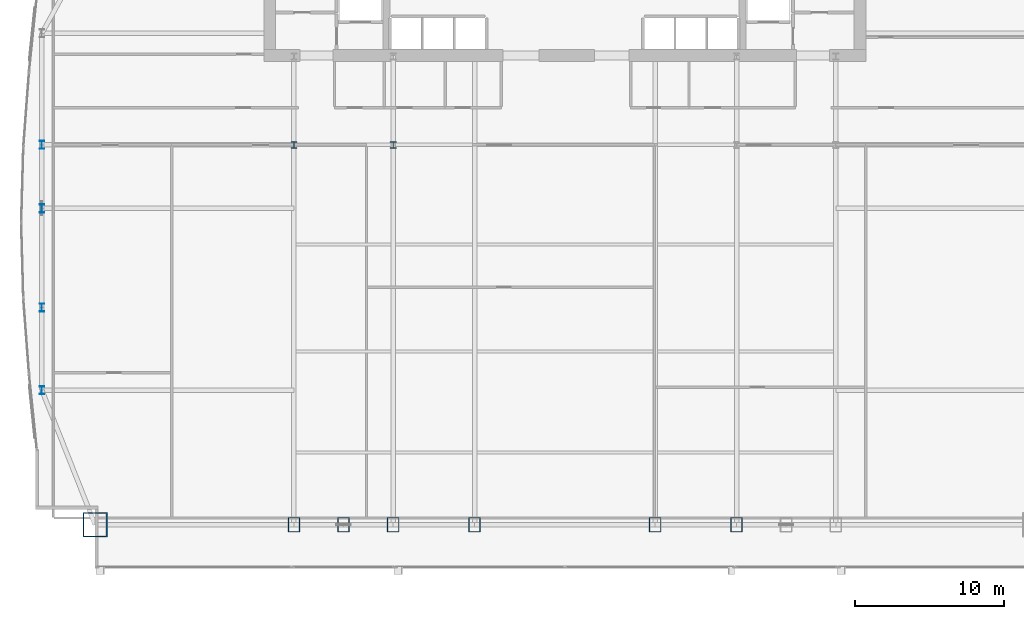
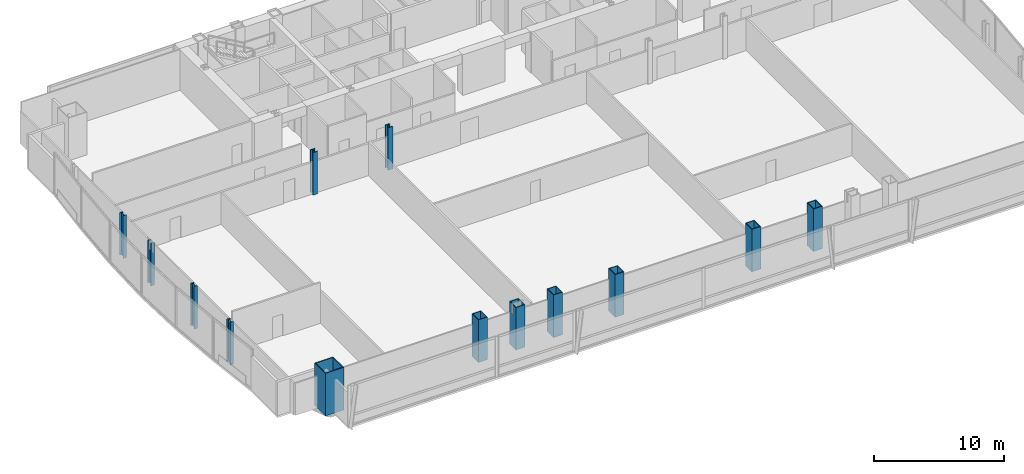
# One storey, part 1 of 33: 13 columns.
"""IFC4 building model written with IfcOpenShell, lengths in metres."""

from ifc_helpers import new_model, si_unit, direction, frame, origin, origin_2d, place, context, subcontext, project, spatial, hollow_rectangle, i_section, extrude, material, material_profile, profile_set, type_object, element, save


model = new_model("IFC4")

# Units and contexts
model_context = context("Model", 3, precision=1e-05, world=origin(), true_north=direction((0.0, 1.0)))
body_context = subcontext(model_context, "Body", "Model", "MODEL_VIEW")
ifc_project = project(units=[si_unit("LENGTHUNIT", "METRE"), si_unit("AREAUNIT", "SQUARE_METRE"), si_unit("VOLUMEUNIT", "CUBIC_METRE"), si_unit("PLANEANGLEUNIT", "RADIAN"), si_unit("MASSUNIT", "GRAM", prefix="KILO")], contexts=[model_context])

# Site, building, storey
site_placement = place(None, origin())
site = spatial("IfcSite", under=ifc_project, at=site_placement, CompositionType="ELEMENT")
building_placement = place(site_placement, origin())
building = spatial("IfcBuilding", under=site, at=building_placement, Name="Khoronbel Lancet Exchange", CompositionType="ELEMENT")
storey_placement = place(building_placement, frame((0.0, 0.0, 33.800048828125)))
storey = spatial("IfcBuildingStorey", under=building, at=storey_placement, Name="L07", CompositionType="ELEMENT", Elevation=33.800048828125)

# Columns
ifc_material_1 = material(Name="Steel S460", Category="steel")
ifc_material_profile_1 = material_profile(ifc_material_1, hollow_rectangle(XDim=0.800048828125, YDim=1.0, WallThickness=0.054931640625, at=origin_2d()), Name="BOX 1000x800x55")
ifc_profile_set_1 = profile_set([ifc_material_profile_1], Name="Steel S460")
column_type_1 = type_object("IfcColumnType", Name="COL-EC1", PredefinedType="COLUMN", material=ifc_profile_set_1)
for number, where, z_axis, x_axis, name in (
    (1, (18.22509765625, 10.14990234375, 0.0), (0.0, 0.0, 1.0), (1.0, 0.0, 0.0), "Structural column SC-W1 L07"),
    (2, (21.5625, 10.14990234375, 0.0), (0.0, 0.0, 1.0), (1.0, 0.0, 0.0), "Structural column SC-WM L07"),
    (3, (24.89990234375, 10.14990234375, 0.0), (0.0, 0.0, 1.0), (1.0, 0.0, 0.0), "Structural column SC-W2 L07"),
    (4, (30.375, 10.14990234375, 0.0), (0.0, 0.0, 1.0), (1.0, 0.0, 0.0), "Structural column SC-C1 L07"),
    (5, (42.52490234375, 10.14990234375, 0.0), (0.0, 0.0, 1.0), (1.0, 0.0, 0.0), "Structural column SC-C2 L07"),
    (6, (48.0, 10.14990234375, 0.0), (0.0, 0.0, 1.0), (1.0, 0.0, 0.0), "Structural column SC-E1 L07"),
):
    element("IfcColumn", number, at=place(storey_placement, frame(where, z_axis=z_axis, x_axis=x_axis)), inside=storey, type_object=column_type_1, Name=name, PredefinedType="COLUMN", context=body_context, shape_type="SweptSolid", body=[
        extrude(hollow_rectangle(XDim=0.800048828125, YDim=1.0, WallThickness=0.054931640625, at=origin_2d()), origin(), (0.0, 0.0, 1.0), 4.0),
    ])
ifc_material_profile_2 = material_profile(ifc_material_1, i_section(OverallWidth=0.424072265625, OverallDepth=0.47412109375, WebThickness=0.047607421875, FlangeThickness=0.076904296875, at=origin_2d()), Name="HD 400x634")
ifc_profile_set_2 = profile_set([ifc_material_profile_2], Name="Steel S460")
column_type_2 = type_object("IfcColumnType", Name="COL-IC1", PredefinedType="COLUMN", material=ifc_profile_set_2)
for number, where, z_axis, x_axis, name in (
    (7, (18.22509765625, 35.699951171875, 0.0), (0.0, 0.0, 1.0), (1.0, 0.0, 0.0), "Spine gravity column TC1 L07"),
    (8, (24.89990234375, 35.699951171875, 0.0), (0.0, 0.0, 1.0), (1.0, 0.0, 0.0), "Spine gravity column TC2 L07"),
):
    element("IfcColumn", number, at=place(storey_placement, frame(where, z_axis=z_axis, x_axis=x_axis)), inside=storey, type_object=column_type_2, Name=name, PredefinedType="COLUMN", context=body_context, shape_type="SweptSolid", body=[
        extrude(i_section(OverallWidth=0.424072265625, OverallDepth=0.47412109375, WebThickness=0.047607421875, FlangeThickness=0.076904296875, at=origin_2d()), origin(), (0.0, 0.0, 1.0), 4.0),
    ])
ifc_material_2 = material(Name="Steel S355", Category="steel")
ifc_material_profile_3 = material_profile(ifc_material_2, i_section(OverallWidth=0.300048828125, OverallDepth=0.550048828125, WebThickness=0.014892578125, FlangeThickness=0.029052734375, at=origin_2d()), Name="HEB 550")
ifc_profile_set_3 = profile_set([ifc_material_profile_3], Name="Steel S355")
column_type_3 = type_object("IfcColumnType", Name="COL-LC1", PredefinedType="COLUMN", material=ifc_profile_set_3)
for number, where, z_axis, x_axis, name in (
    (9, (1.27001953125, 19.199951171875, 0.0), (0.0, 0.0, 1.0), (1.0, 0.0, 0.0), "Structural column WC-1 L07"),
    (10, (1.27001953125, 24.75, 0.0), (0.0, 0.0, 1.0), (1.0, 0.0, 0.0), "Structural column WC-2 L07"),
    (11, (1.27001953125, 31.425048828125, 0.0), (0.0, 0.0, 1.0), (1.0, 0.0, 0.0), "Structural column WC-M L07"),
    (12, (1.27001953125, 35.699951171875, 0.0), (0.0, 0.0, 1.0), (1.0, 0.0, 0.0), "Structural column WC-3 L07"),
):
    element("IfcColumn", number, at=place(storey_placement, frame(where, z_axis=z_axis, x_axis=x_axis)), inside=storey, type_object=column_type_3, Name=name, PredefinedType="COLUMN", context=body_context, shape_type="SweptSolid", body=[
        extrude(i_section(OverallWidth=0.300048828125, OverallDepth=0.550048828125, WebThickness=0.014892578125, FlangeThickness=0.029052734375, at=origin_2d()), origin(), (0.0, 0.0, 1.0), 4.0),
    ])
ifc_material_profile_4 = material_profile(ifc_material_1, hollow_rectangle(XDim=1.64990234375, YDim=1.64990234375, WallThickness=0.074951171875, at=origin_2d()), Name="BOX 1650x1650x75")
ifc_profile_set_4 = profile_set([ifc_material_profile_4], Name="Steel S460")
column_type_4 = type_object("IfcColumnType", Name="COL-MC2", PredefinedType="COLUMN", material=ifc_profile_set_4)
column_placement = place(storey_placement, frame((4.85009765625, 10.14990234375, 0.0), z_axis=(0.0, 0.0, 1.0), x_axis=(1.0, 0.0, 0.0)))
element("IfcColumn", 13, at=column_placement, inside=storey, type_object=column_type_4, Name="Structural column MC-SW L07", PredefinedType="COLUMN", context=body_context, shape_type="SweptSolid", body=[
    extrude(hollow_rectangle(XDim=1.64990234375, YDim=1.64990234375, WallThickness=0.074951171875, at=origin_2d()), origin(), (0.0, 0.0, 1.0), 4.0),
])

save(model, "model.ifc")
